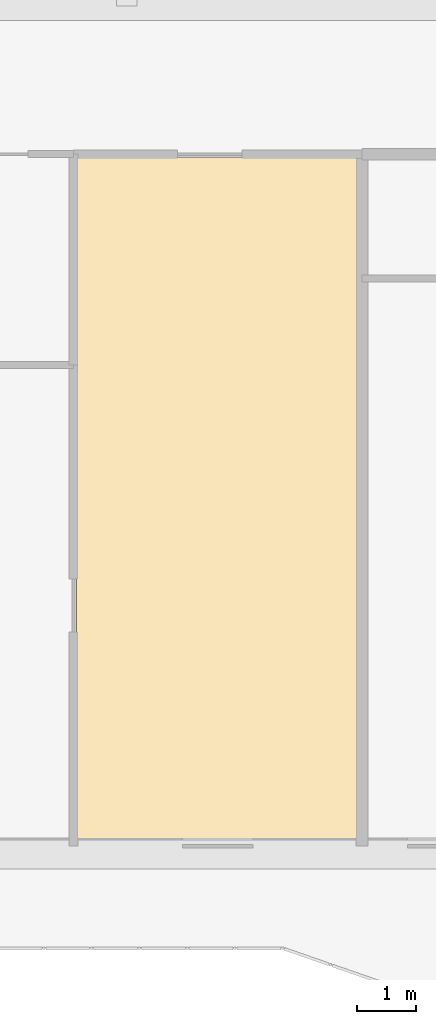
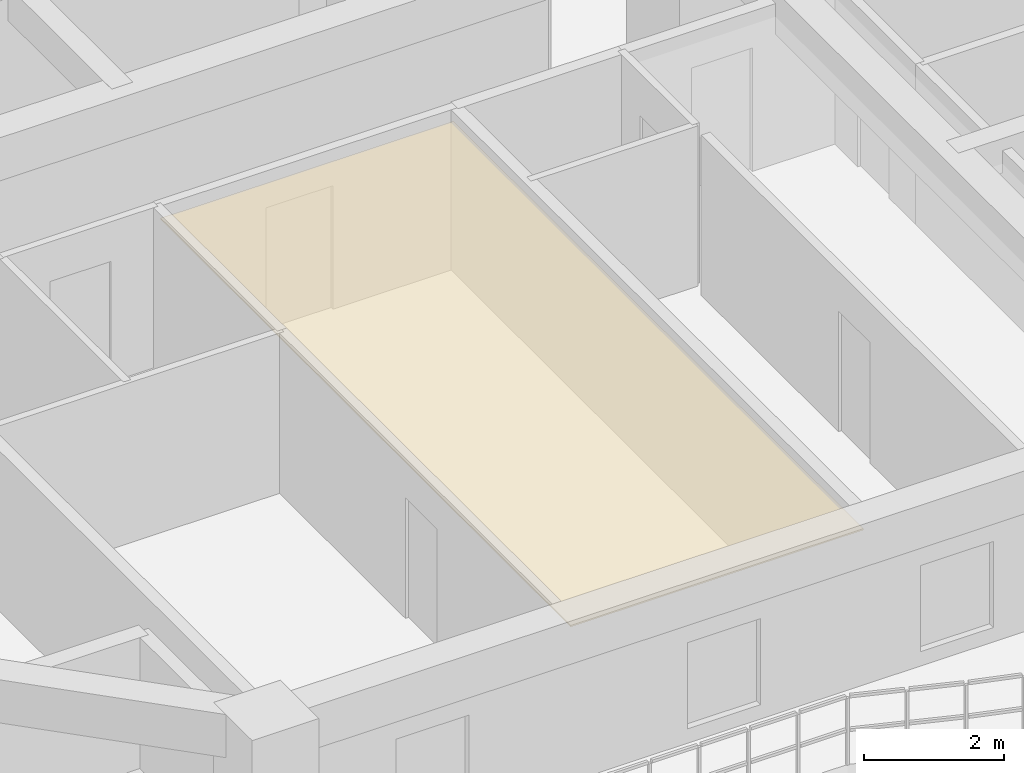
# One storey, part 10 of 15: 1 covering.
"""IFC4 building model written with IfcOpenShell, lengths in metres."""

import ifcopenshell
import ifcopenshell.guid

model = None  # the IFC model being written
_history = None  # IfcOwnerHistory: only IFC2X3 demands one
_inside = {}  # id of a spatial element -> (the spatial element, [elements in it])
_under = {}  # id of a project, library or spatial element -> (it, [spatial elements below it])
_declared = {}  # id of a project -> (the project, [libraries it declares])
_typed = {}  # id of a type object -> (the type object, [elements of that type])
_made_of = {}  # id of a material, layer set ... -> (it, [elements and type objects made of it])


def new_model(schema):
    """Start an empty IFC model of exactly this schema.

    Asked for "IFC4X3", IfcOpenShell would pick the latest addendum, in which some entities
    have other attributes; the version numbers below select the first issue.
    IFC2X3 requires an IfcOwnerHistory on every rooted entity: one is made here for all.
    """
    global model, _history
    if schema == "IFC4X3":
        model = ifcopenshell.file(schema_version=(4, 3, 0, 0))
    else:
        model = ifcopenshell.file(schema=schema)
    _inside.clear()
    _under.clear()
    _declared.clear()
    _typed.clear()
    _made_of.clear()
    _history = None
    if model.schema == "IFC2X3":
        org = make("IfcOrganization", Name="unknown")
        user = make(
            "IfcPersonAndOrganization",
            ThePerson=make("IfcPerson", FamilyName="unknown"),
            TheOrganization=org,
        )
        app = make(
            "IfcApplication",
            ApplicationDeveloper=org,
            Version="unknown",
            ApplicationFullName="unknown",
            ApplicationIdentifier="unknown",
        )
        _history = make(
            "IfcOwnerHistory",
            OwningUser=user,
            OwningApplication=app,
            ChangeAction="ADDED",
            CreationDate=0,
        )
    return model


def make(cls, **values):
    """One entity of the class cls with the attributes given. An attribute that is None is left unset."""
    return model.create_entity(
        cls, **{name: value for name, value in values.items() if value is not None}
    )


def rooted(cls, **values):
    """An entity with a GlobalId (a new one), such as an element, a storey or a relation."""
    return make(cls, GlobalId=ifcopenshell.guid.new(), OwnerHistory=_history, **values)


def si_unit(unit_type, name, prefix=None):
    """IfcSIUnit, for example si_unit("LENGTHUNIT", "METRE", prefix="MILLI")."""
    return make("IfcSIUnit", UnitType=unit_type, Prefix=prefix, Name=name)


def assignment(units):
    """IfcUnitAssignment: the units of a project."""
    return None if units is None else make("IfcUnitAssignment", Units=units)


def point(xyz):
    """IfcCartesianPoint."""
    return None if xyz is None else make("IfcCartesianPoint", Coordinates=xyz)


def direction(xyz):
    """IfcDirection."""
    return None if xyz is None else make("IfcDirection", DirectionRatios=xyz)


def frame(location, z_axis=None, x_axis=None):
    """IfcAxis2Placement3D, a coordinate frame: its origin and axes. An axis left out is left unset."""
    return make(
        "IfcAxis2Placement3D",
        Location=point(location),
        Axis=direction(z_axis),
        RefDirection=direction(x_axis),
    )


def origin():
    """The frame at (0, 0, 0) with its axes left unset."""
    return frame((0.0, 0.0, 0.0))


def place(relative_to, where):
    """IfcLocalPlacement: puts the frame where relative to a parent placement (None: the world)."""
    return make(
        "IfcLocalPlacement", PlacementRelTo=relative_to, RelativePlacement=where
    )


def context(
    kind, dimensions, precision=None, world=None, true_north=None, identifier=None
):
    """IfcGeometricRepresentationContext, for example the 3D "Model" context."""
    return make(
        "IfcGeometricRepresentationContext",
        ContextIdentifier=identifier,
        ContextType=kind,
        CoordinateSpaceDimension=dimensions,
        Precision=precision,
        WorldCoordinateSystem=world,
        TrueNorth=true_north,
    )


def subcontext(parent, identifier, kind, view, scale=None):
    """IfcGeometricRepresentationSubContext, for example "Body" below "Model"."""
    return make(
        "IfcGeometricRepresentationSubContext",
        ContextIdentifier=identifier,
        ContextType=kind,
        ParentContext=parent,
        TargetScale=scale,
        TargetView=view,
    )


def project(units=None, contexts=None):
    """IfcProject with its units and contexts."""
    return rooted(
        "IfcProject",
        Name="project",
        RepresentationContexts=contexts,
        UnitsInContext=assignment(units),
    )


def spatial(cls, under=None, at=None, **own):
    """A site, building, storey or space (cls), placed at a placement, below another one or the project."""
    s = rooted(cls, ObjectPlacement=at, **own)
    if under is not None:
        _under.setdefault(under.id(), (under, []))[1].append(s)
    return s


def polyline(points):
    """IfcPolyline through the points."""
    return make("IfcPolyline", Points=[point(p) for p in points])


def outline(outer, holes=None, kind="AREA"):
    """IfcArbitraryClosedProfileDef: a profile drawn as a closed curve; with holes, ...WithVoids."""
    if holes is None:
        return make("IfcArbitraryClosedProfileDef", ProfileType=kind, OuterCurve=outer)
    return make(
        "IfcArbitraryProfileDefWithVoids",
        ProfileType=kind,
        OuterCurve=outer,
        InnerCurves=holes,
    )


def extrude(swept, where, along, depth):
    """IfcExtrudedAreaSolid: the profile swept, set in the frame where, extruded along a direction by depth."""
    return make(
        "IfcExtrudedAreaSolid",
        SweptArea=swept,
        Position=where,
        ExtrudedDirection=direction(along),
        Depth=depth,
    )


def shape(context_of_items, identifier, shape_type, items):
    """IfcShapeRepresentation: the items that make up one representation, for example the "Body"."""
    return make(
        "IfcShapeRepresentation",
        ContextOfItems=context_of_items,
        RepresentationIdentifier=identifier,
        RepresentationType=shape_type,
        Items=items,
    )


def material(Name=None, Category=None):
    """IfcMaterial."""
    return make("IfcMaterial", Name=Name, Category=Category)


def layer(
    of_material, thickness, ventilated=None, Name=None, Category=None, Priority=None
):
    """IfcMaterialLayer: one layer of a wall or slab, of a material (None: an air gap)."""
    return make(
        "IfcMaterialLayer",
        Material=of_material,
        LayerThickness=thickness,
        IsVentilated=ventilated,
        Name=Name,
        Category=Category,
        Priority=Priority,
    )


def layer_set(layers, Name=None):
    """IfcMaterialLayerSet."""
    return make("IfcMaterialLayerSet", MaterialLayers=layers, LayerSetName=Name)


def made_of(thing, what):
    """Note that an element or type object is made of a material, layer set ...; save() writes the relation."""
    if what is not None:
        _made_of.setdefault(what.id(), (what, []))[1].append(thing)
    return thing


def type_object(cls, material=None, **own):
    """A type object (cls), such as IfcWallType, which elements share."""
    return made_of(rooted(cls, **own), material)


def element(
    cls,
    number,
    at=None,
    inside=None,
    cuts=None,
    type_object=None,
    material=None,
    context=None,
    identifier="Body",
    shape_type=None,
    held_by="IfcProductDefinitionShape",
    body=None,
    shapes=None,
    **own,
):
    """One element of the class cls, such as IfcWall. Its Tag is "e" and its number.

    at: its placement. inside: the storey or other place that contains it. cuts: it is an
    opening in that element (IfcRelVoidsElement). A single representation is given by context,
    identifier, shape_type and body (its items); several are given by shapes. held_by: the class
    of the entity that holds the representations. save() writes the other relations.
    """
    e = rooted(cls, Tag="e%d" % number, ObjectPlacement=at, **own)
    if body is not None:
        shapes = [shape(context, identifier, shape_type, body)]
    if shapes is not None:
        e.Representation = make(held_by, Representations=shapes)
    if inside is not None:
        _inside.setdefault(inside.id(), (inside, []))[1].append(e)
    if cuts is not None:
        rooted(
            "IfcRelVoidsElement", RelatingBuildingElement=cuts, RelatedOpeningElement=e
        )
    if type_object is not None:
        _typed.setdefault(type_object.id(), (type_object, []))[1].append(e)
    return made_of(e, material)


def aggregate(whole, parts):
    """IfcRelAggregates: a whole, such as a stair, and the parts it consists of."""
    return rooted("IfcRelAggregates", RelatingObject=whole, RelatedObjects=parts)


def save(model, path):
    """Write the relations noted so far, then the file.

    IfcRelAggregates (storeys below a building ...), IfcRelContainedInSpatialStructure (elements
    in a storey), IfcRelDefinesByType, IfcRelAssociatesMaterial and IfcRelDeclares: one each for
    every whole, place, type object, material and project.
    """
    for whole, parts in _under.values():
        aggregate(whole, parts)
    for where, things in _inside.values():
        rooted(
            "IfcRelContainedInSpatialStructure",
            RelatedElements=things,
            RelatingStructure=where,
        )
    for kind, things in _typed.values():
        rooted("IfcRelDefinesByType", RelatedObjects=things, RelatingType=kind)
    for what, things in _made_of.values():
        rooted("IfcRelAssociatesMaterial", RelatedObjects=things, RelatingMaterial=what)
    for by, libraries in _declared.values():
        rooted("IfcRelDeclares", RelatingContext=by, RelatedDefinitions=libraries)
    model.write(path)


model = new_model("IFC4")

# Units and contexts
model_context = context("Model", 3, precision=1e-05, world=origin(), true_north=direction((0.0, 1.0)))
body_context = subcontext(model_context, "Body", "Model", "MODEL_VIEW")
ifc_project = project(units=[si_unit("LENGTHUNIT", "METRE"), si_unit("AREAUNIT", "SQUARE_METRE"), si_unit("VOLUMEUNIT", "CUBIC_METRE"), si_unit("PLANEANGLEUNIT", "RADIAN"), si_unit("MASSUNIT", "GRAM", prefix="KILO")], contexts=[model_context])

# Site, building, storey
site_placement = place(None, origin())
site = spatial("IfcSite", under=ifc_project, at=site_placement, CompositionType="ELEMENT")
building_placement = place(site_placement, origin())
building = spatial("IfcBuilding", under=site, at=building_placement, Name="Saelheon Loggia Tower", CompositionType="ELEMENT")
storey_placement = place(building_placement, frame((0.0, 0.0, 49.39990234375)))
storey = spatial("IfcBuildingStorey", under=building, at=storey_placement, Name="L15", CompositionType="ELEMENT", Elevation=49.39990234375)

# Covering
ifc_material = material(Name="Mineral-Fibre Acoustic Ceiling Board", Category="gypsum")
ifc_layer = layer(ifc_material, 0.02490234375)
ifc_layer_set = layer_set([ifc_layer], Name="Mineral-Fibre Acoustic Ceiling Board")
covering_type = type_object("IfcCoveringType", Name="Cov_Ceiling_Acoustic", PredefinedType="CEILING", material=ifc_layer_set)
covering_placement = place(storey_placement, frame((0.0, 0.0, 2.53515625)))
element("IfcCovering", 1, at=covering_placement, inside=storey, type_object=covering_type, Name="L15 Acoustic Suspended Ceiling", PredefinedType="CEILING", context=body_context, shape_type="SweptSolid", body=[
    extrude(outline(polyline([(20.6298828125, 3.199951171875), (25.45068359375, 3.199951171875), (25.45068359375, 14.89990234375), (20.6298828125, 14.89990234375), (20.6298828125, 3.199951171875)])), origin(), (0.0, 0.0, 1.0), 0.02490234375),
])

save(model, "model.ifc")
